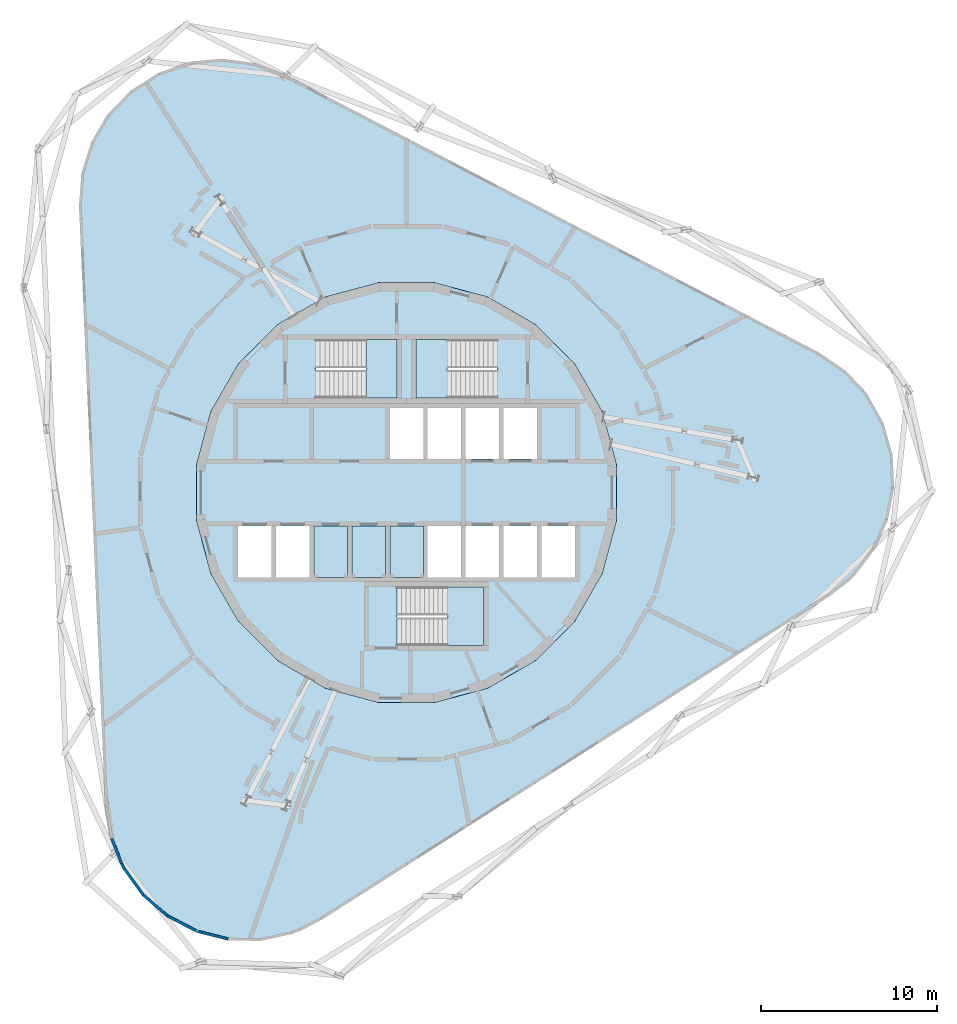
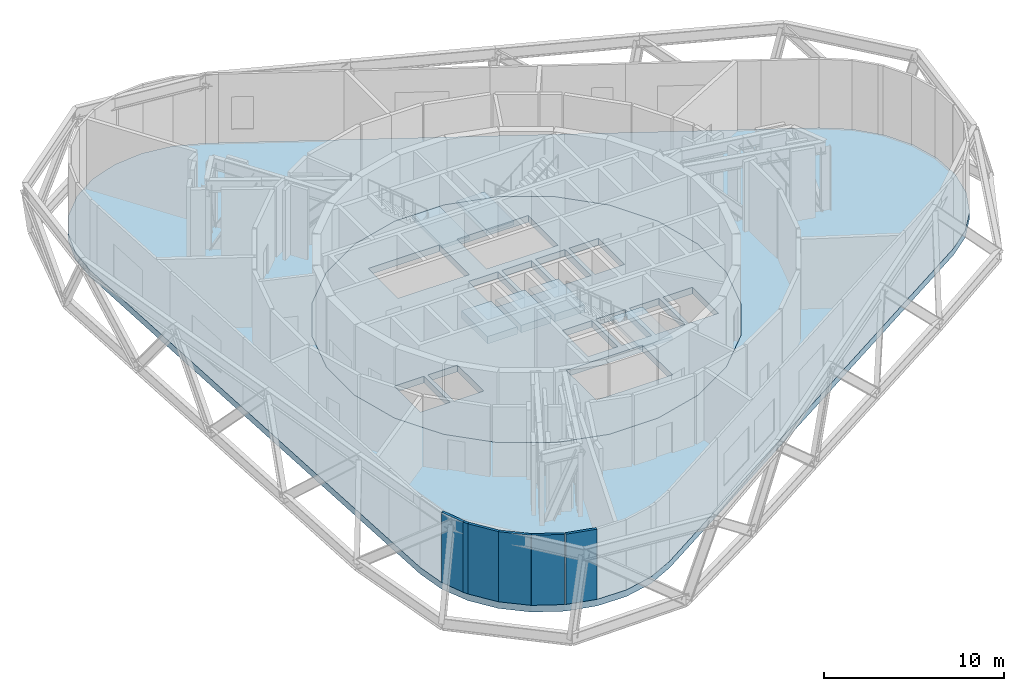
# One storey, part 4 of 12: 8 slabs, 6 walls, 3 elements without a shape of their own.
"""IFC4 building model written with IfcOpenShell, lengths in metres."""

from ifc_helpers import new_model, si_unit, direction, frame, frame_2d, origin, place, context, subcontext, project, spatial, polyline, rectangle, outline, extrude, material, layer, layer_set, type_object, element, aggregate, save


model = new_model("IFC4")

# Units and contexts
model_context = context("Model", 3, precision=1e-05, world=origin(), true_north=direction((0.0, 1.0)))
body_context = subcontext(model_context, "Body", "Model", "MODEL_VIEW")
ifc_project = project(units=[si_unit("LENGTHUNIT", "METRE"), si_unit("AREAUNIT", "SQUARE_METRE"), si_unit("VOLUMEUNIT", "CUBIC_METRE"), si_unit("PLANEANGLEUNIT", "RADIAN"), si_unit("MASSUNIT", "GRAM", prefix="KILO")], contexts=[model_context])

# Site, building, storey
site_placement = place(None, origin())
site = spatial("IfcSite", under=ifc_project, at=site_placement, CompositionType="ELEMENT")
building_placement = place(site_placement, origin())
building = spatial("IfcBuilding", under=site, at=building_placement, Name="Spindle Arch Residences", CompositionType="ELEMENT")
storey_placement = place(building_placement, frame((0.0, 0.0, 258.199951171875)))
storey = spatial("IfcBuildingStorey", under=building, at=storey_placement, Name="L66", CompositionType="ELEMENT", Elevation=258.199951171875)

# Slabs
ifc_material_1 = material(Name="Concrete C40/50", Category="concrete")
ifc_layer_1 = layer(ifc_material_1, 0.449951171875)
ifc_layer_set_1 = layer_set([ifc_layer_1], Name="Compartment floor slab 450")
slab_type_1 = type_object("IfcSlabType", Name="Compartment floor slab 450", PredefinedType="FLOOR", material=ifc_layer_set_1)
slab_1_placement = place(storey_placement, frame((0.0, 0.0, -0.449951171875)))
element("IfcSlab", 1, at=slab_1_placement, inside=storey, type_object=slab_type_1, Name="Floor slab L66", PredefinedType="FLOOR", context=body_context, shape_type="SweptSolid", body=[
    extrude(outline(polyline([(-4.78369140625, -24.193603515625), (-6.45556640625, -25.0029296875), (-8.268798828125, -25.40478515625), (-10.126220703125, -25.3779296875), (-11.92724609375, -24.92333984375), (-13.57470703125, -24.065673828125), (-14.980224609375, -22.85107421875), (-16.067626953125, -21.34521484375), (-16.778564453125, -19.629150390625), (-17.074462890625, -17.79541015625), (-18.560302734375, 16.239501953125), (-18.42529296875, 18.092041015625), (-17.866943359375, 19.863525390625), (-16.914794921875, 21.45849609375), (-15.62060546875, 22.791015625), (-14.053955078125, 23.788818359375), (-12.299560546875, 24.398681640625), (-10.45166015625, 24.587646484375), (-8.610107421875, 24.34521484375), (-6.8740234375, 23.6845703125), (23.343994140625, 7.9541015625), (24.880859375, 6.910888671875), (26.1357421875, 5.54150390625), (27.041015625, 3.91943359375), (27.5478515625, 2.13232421875), (27.62890625, 0.276611328125), (27.27978515625, -1.547607421875), (26.519287109375, -3.242431640625), (25.388427734375, -4.716064453125), (23.948486328125, -5.88916015625), (9.58251953125, -15.041259765625), (-4.78369140625, -24.193603515625)]), holes=[polyline([(4.59228515625, -11.086669921875), (7.30517578125, -9.520263671875), (9.520263671875, -7.30517578125), (11.086669921875, -4.59228515625), (11.897216796875, -1.56640625), (11.897216796875, 1.56640625), (11.086669921875, 4.59228515625), (9.520263671875, 7.30517578125), (7.30517578125, 9.520263671875), (4.59228515625, 11.086669921875), (1.56640625, 11.897216796875), (-1.56640625, 11.897216796875), (-4.59228515625, 11.086669921875), (-7.30517578125, 9.520263671875), (-9.520263671875, 7.30517578125), (-11.086669921875, 4.59228515625), (-11.897216796875, 1.56640625), (-11.897216796875, -1.56640625), (-11.086669921875, -4.59228515625), (-9.520263671875, -7.30517578125), (-7.30517578125, -9.520263671875), (-4.59228515625, -11.086669921875), (-1.56640625, -11.897216796875), (1.56640625, -11.897216796875), (4.59228515625, -11.086669921875)])]), origin(), (0.0, 0.0, 1.0), 0.449951171875),
])
ifc_material_2 = material(Name="Concrete C50/60", Category="concrete")
ifc_layer_2 = layer(ifc_material_2, 0.449951171875)
ifc_layer_set_2 = layer_set([ifc_layer_2], Name="Core floor slab 450")
slab_type_2 = type_object("IfcSlabType", Name="Core floor slab 450", PredefinedType="FLOOR", material=ifc_layer_set_2)
slab_2_placement = place(storey_placement, frame((0.0, 0.0, -0.449951171875)))
element("IfcSlab", 2, at=slab_2_placement, inside=storey, type_object=slab_type_2, Name="Core floor L66", PredefinedType="FLOOR", context=body_context, shape_type="SweptSolid", body=[
    extrude(outline(polyline([(1.56640625, -11.897216796875), (4.59228515625, -11.086669921875), (7.30517578125, -9.520263671875), (9.520263671875, -7.30517578125), (11.086669921875, -4.59228515625), (11.897216796875, -1.56640625), (11.897216796875, 1.56640625), (11.086669921875, 4.59228515625), (9.520263671875, 7.30517578125), (7.30517578125, 9.520263671875), (4.59228515625, 11.086669921875), (1.56640625, 11.897216796875), (-1.56640625, 11.897216796875), (-4.59228515625, 11.086669921875), (-7.30517578125, 9.520263671875), (-9.520263671875, 7.30517578125), (-11.086669921875, 4.59228515625), (-11.897216796875, 1.56640625), (-11.897216796875, -1.56640625), (-11.086669921875, -4.59228515625), (-9.520263671875, -7.30517578125), (-7.30517578125, -9.520263671875), (-4.59228515625, -11.086669921875), (-1.56640625, -11.897216796875), (1.56640625, -11.897216796875)]), holes=[polyline([(-0.949951171875, 1.89990234375), (0.949951171875, 1.89990234375), (0.949951171875, 4.800048828125), (-0.949951171875, 4.800048828125), (-0.949951171875, 1.89990234375)]), polyline([(1.199951171875, 1.89990234375), (3.10009765625, 1.89990234375), (3.10009765625, 4.800048828125), (1.199951171875, 4.800048828125), (1.199951171875, 1.89990234375)]), polyline([(3.35009765625, 1.89990234375), (5.25, 1.89990234375), (5.25, 4.800048828125), (3.35009765625, 4.800048828125), (3.35009765625, 1.89990234375)]), polyline([(5.5, 1.89990234375), (7.39990234375, 1.89990234375), (7.39990234375, 4.800048828125), (5.5, 4.800048828125), (5.5, 1.89990234375)]), polyline([(-9.550048828125, -4.800048828125), (-7.64990234375, -4.800048828125), (-7.64990234375, -1.89990234375), (-9.550048828125, -1.89990234375), (-9.550048828125, -4.800048828125)]), polyline([(-7.39990234375, -4.800048828125), (-5.5, -4.800048828125), (-5.5, -1.89990234375), (-7.39990234375, -1.89990234375), (-7.39990234375, -4.800048828125)]), polyline([(1.199951171875, -4.800048828125), (3.10009765625, -4.800048828125), (3.10009765625, -1.89990234375), (1.199951171875, -1.89990234375), (1.199951171875, -4.800048828125)]), polyline([(3.35009765625, -4.800048828125), (5.25, -4.800048828125), (5.25, -1.89990234375), (3.35009765625, -1.89990234375), (3.35009765625, -4.800048828125)]), polyline([(5.5, -4.800048828125), (7.39990234375, -4.800048828125), (7.39990234375, -1.89990234375), (5.5, -1.89990234375), (5.5, -4.800048828125)]), polyline([(7.64990234375, -4.800048828125), (9.550048828125, -4.800048828125), (9.550048828125, -1.89990234375), (7.64990234375, -1.89990234375), (7.64990234375, -4.800048828125)]), polyline([(5.1298828125, 8.669921875), (0.550048828125, 8.669921875), (0.550048828125, 5.35009765625), (5.1298828125, 5.35009765625), (5.1298828125, 8.669921875)]), polyline([(-5.1298828125, 5.35009765625), (-0.550048828125, 5.35009765625), (-0.550048828125, 8.669921875), (-5.1298828125, 8.669921875), (-5.1298828125, 5.35009765625)]), polyline([(-0.530029296875, -8.669921875), (4.35009765625, -8.669921875), (4.35009765625, -5.35009765625), (-0.530029296875, -5.35009765625), (-0.530029296875, -8.669921875)])]), origin(), (0.0, 0.0, 1.0), 0.449951171875),
])

# Stair, slab
ifc_material_3 = material(Name="Concrete C50/60", Category="concrete")
stair_type = type_object("IfcStairType", Name="Exit stair 24 risers", PredefinedType="HALF_TURN_STAIR", material=ifc_material_3)
stair_1_placement = place(storey_placement, origin())
stair_1 = element("IfcStair", 3, at=stair_1_placement, inside=storey, type_object=stair_type, Name="L66 Exit stair ST1", PredefinedType="HALF_TURN_STAIR")
ifc_material_4 = material(Name="Concrete C50/60", Category="concrete")
ifc_layer_3 = layer(ifc_material_4, 0.219970703125)
ifc_layer_set_3 = layer_set([ifc_layer_3], Name="Exit stair landing 220")
slab_type_3 = type_object("IfcSlabType", Name="Exit stair landing 220", PredefinedType="LANDING", material=ifc_layer_set_3)
slab_3_placement = place(storey_placement, frame((0.0, 0.0, 2.380126953125)))
slab_3 = element("IfcSlab", 4, at=slab_3_placement, type_object=slab_type_3, Name="ST1 landing 1", PredefinedType="LANDING", context=body_context, shape_type="SweptSolid", body=[
    extrude(outline(polyline([(2.31005859375, 8.669921875), (0.550048828125, 8.669921875), (0.550048828125, 5.35009765625), (2.31005859375, 5.35009765625), (2.31005859375, 8.669921875)])), origin(), (0.0, 0.0, 1.0), 0.219970703125),
])
aggregate(stair_1, [slab_3])

stair_2_placement = place(storey_placement, origin())
stair_2 = element("IfcStair", 5, at=stair_2_placement, inside=storey, type_object=stair_type, Name="L66 Exit stair ST2", PredefinedType="HALF_TURN_STAIR")
slab_4_placement = place(storey_placement, frame((0.0, 0.0, 2.380126953125)))
slab_4 = element("IfcSlab", 6, at=slab_4_placement, type_object=slab_type_3, Name="ST2 landing 1", PredefinedType="LANDING", context=body_context, shape_type="SweptSolid", body=[
    extrude(outline(polyline([(-2.31005859375, 5.35009765625), (-0.550048828125, 5.35009765625), (-0.550048828125, 8.669921875), (-2.31005859375, 8.669921875), (-2.31005859375, 5.35009765625)])), origin(), (0.0, 0.0, 1.0), 0.219970703125),
])
aggregate(stair_2, [slab_4])

stair_3_placement = place(storey_placement, origin())
stair_3 = element("IfcStair", 7, at=stair_3_placement, inside=storey, type_object=stair_type, Name="L66 Exit stair ST3", PredefinedType="HALF_TURN_STAIR")
slab_5_placement = place(storey_placement, frame((0.0, 0.0, 2.380126953125)))
slab_5 = element("IfcSlab", 8, at=slab_5_placement, type_object=slab_type_3, Name="ST3 landing 1", PredefinedType="LANDING", context=body_context, shape_type="SweptSolid", body=[
    extrude(outline(polyline([(2.2900390625, -8.669921875), (4.35009765625, -8.669921875), (4.35009765625, -5.35009765625), (2.2900390625, -5.35009765625), (2.2900390625, -8.669921875)])), origin(), (0.0, 0.0, 1.0), 0.219970703125),
])
aggregate(stair_3, [slab_5])

# Slabs
ifc_material_5 = material(Name="Concrete C50/60", Category="concrete")
ifc_layer_4 = layer(ifc_material_5, 0.5)
ifc_layer_set_4 = layer_set([ifc_layer_4], Name="Lift pit floor slab 500")
slab_type_4 = type_object("IfcSlabType", Name="Lift pit floor slab 500", PredefinedType="FLOOR", material=ifc_layer_set_4)
slab_6_placement = place(storey_placement, frame((0.0, 0.0, 3.10009765625)))
element("IfcSlab", 9, at=slab_6_placement, inside=storey, type_object=slab_type_4, Name="Lift pit floor H1", PredefinedType="FLOOR", context=body_context, shape_type="SweptSolid", body=[
    extrude(outline(polyline([(-5.25, -4.800048828125), (-3.35009765625, -4.800048828125), (-3.35009765625, -1.89990234375), (-5.25, -1.89990234375), (-5.25, -4.800048828125)])), origin(), (0.0, 0.0, 1.0), 0.5),
])
slab_7_placement = place(storey_placement, frame((0.0, 0.0, 3.10009765625)))
element("IfcSlab", 10, at=slab_7_placement, inside=storey, type_object=slab_type_4, Name="Lift pit floor H2", PredefinedType="FLOOR", context=body_context, shape_type="SweptSolid", body=[
    extrude(outline(polyline([(-3.10009765625, -4.800048828125), (-1.199951171875, -4.800048828125), (-1.199951171875, -1.89990234375), (-3.10009765625, -1.89990234375), (-3.10009765625, -4.800048828125)])), origin(), (0.0, 0.0, 1.0), 0.5),
])
slab_8_placement = place(storey_placement, frame((0.0, 0.0, 3.10009765625)))
element("IfcSlab", 11, at=slab_8_placement, inside=storey, type_object=slab_type_4, Name="Lift pit floor H3", PredefinedType="FLOOR", context=body_context, shape_type="SweptSolid", body=[
    extrude(outline(polyline([(-0.949951171875, -4.800048828125), (0.949951171875, -4.800048828125), (0.949951171875, -1.89990234375), (-0.949951171875, -1.89990234375), (-0.949951171875, -4.800048828125)])), origin(), (0.0, 0.0, 1.0), 0.5),
])

# Walls
ifc_material_6 = material(Name="Non-combustible mineral wool insulated aluminium faced external wall (K0)", Category="aluminium")
ifc_layer_5 = layer(ifc_material_6, 0.159912109375)
ifc_layer_set_5 = layer_set([ifc_layer_5], Name="Insulated external wall panel 160")
wall_type = type_object("IfcWallType", Name="Insulated external wall panel 160", PredefinedType="STANDARD", material=ifc_layer_set_5)
wall_1_placement = place(storey_placement, frame((-16.703125, -19.603271484375, 0.0), z_axis=(0.0, 0.0, 1.0), x_axis=(0.364345262894, -0.931263941859, 0.0)))
element("IfcWall", 12, at=wall_1_placement, inside=storey, type_object=wall_type, Name="Plant wall L66 bay 17.3", PredefinedType="STANDARD", context=body_context, shape_type="SweptSolid", body=[
    extrude(rectangle(XDim=1.53173828125, YDim=0.159912109375, at=frame_2d((0.765869140625, 0.0))), origin(), (0.0, 0.0, 1.0), 4.75),
])
wall_2_placement = place(storey_placement, frame((-16.14501953125, -21.02978515625, 0.0), z_axis=(0.0, 0.0, 1.0), x_axis=(0.469946224653, -0.882695046964, 0.0)))
element("IfcWall", 13, at=wall_2_placement, inside=storey, type_object=wall_type, Name="Plant wall L66 bay 18.1", PredefinedType="STANDARD", context=body_context, shape_type="SweptSolid", body=[
    extrude(rectangle(XDim=0.31591796875, YDim=0.159912109375, at=frame_2d((0.157958984375, 0.0))), origin(), (0.0, 0.0, 1.0), 4.75),
])
wall_3_placement = place(storey_placement, frame((-15.99951171875, -21.303955078125, 0.0), z_axis=(0.0, 0.0, 1.0), x_axis=(0.585495381547, -0.810675741704, 0.0)))
element("IfcWall", 14, at=wall_3_placement, inside=storey, type_object=wall_type, Name="Plant wall L66 bay 18.2", PredefinedType="STANDARD", context=body_context, shape_type="SweptSolid", body=[
    extrude(rectangle(XDim=1.846435546875, YDim=0.159912109375, at=frame_2d((0.92333984375, 0.0))), origin(), (0.0, 0.0, 1.0), 4.75),
])
wall_4_placement = place(storey_placement, frame((-14.9248046875, -22.7939453125, 0.0), z_axis=(0.0, 0.0, 1.0), x_axis=(0.756621004278, -0.653853696086, 0.0)))
element("IfcWall", 15, at=wall_4_placement, inside=storey, type_object=wall_type, Name="Plant wall L66 bay 18.3", PredefinedType="STANDARD", context=body_context, shape_type="SweptSolid", body=[
    extrude(rectangle(XDim=1.848388671875, YDim=0.159912109375, at=frame_2d((0.92431640625, 0.0))), origin(), (0.0, 0.0, 1.0), 4.75),
])
wall_5_placement = place(storey_placement, frame((-13.533935546875, -23.997314453125, 0.0), z_axis=(0.0, 0.0, 1.0), x_axis=(0.887034839899, -0.461702493826, 0.0)))
element("IfcWall", 16, at=wall_5_placement, inside=storey, type_object=wall_type, Name="Plant wall L66 bay 18.4", PredefinedType="STANDARD", context=body_context, shape_type="SweptSolid", body=[
    extrude(rectangle(XDim=1.845947265625, YDim=0.159912109375, at=frame_2d((0.9228515625, 0.0))), origin(), (0.0, 0.0, 1.0), 4.75),
])
wall_6_placement = place(storey_placement, frame((-11.840087890625, -24.87060546875, 0.0), z_axis=(0.0, 0.0, 1.0), x_axis=(0.970536274292, -0.240955058637, 0.0)))
element("IfcWall", 17, at=wall_6_placement, inside=storey, type_object=wall_type, Name="Plant wall L66 bay 19.1", PredefinedType="STANDARD", context=body_context, shape_type="SweptSolid", body=[
    extrude(rectangle(XDim=1.78125, YDim=0.159912109375, at=frame_2d((0.890625, 0.0))), origin(), (0.0, 0.0, 1.0), 4.75),
])

save(model, "model.ifc")
